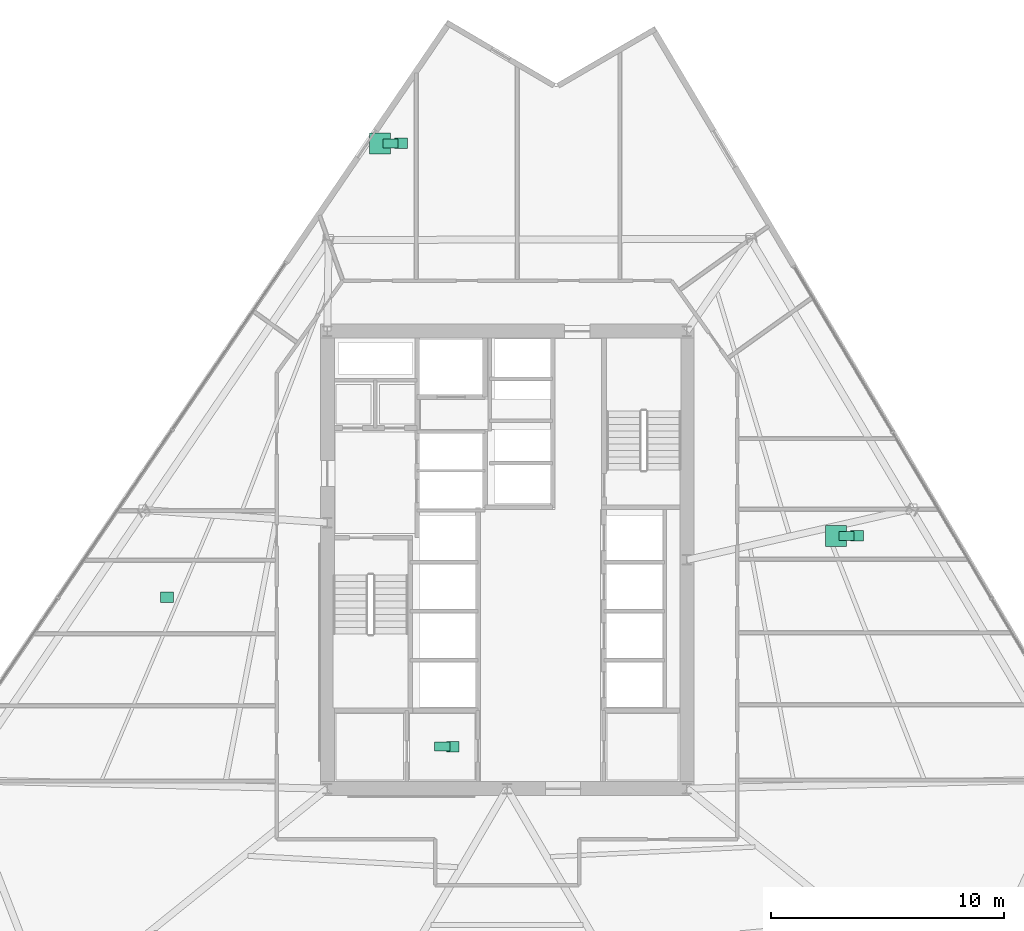
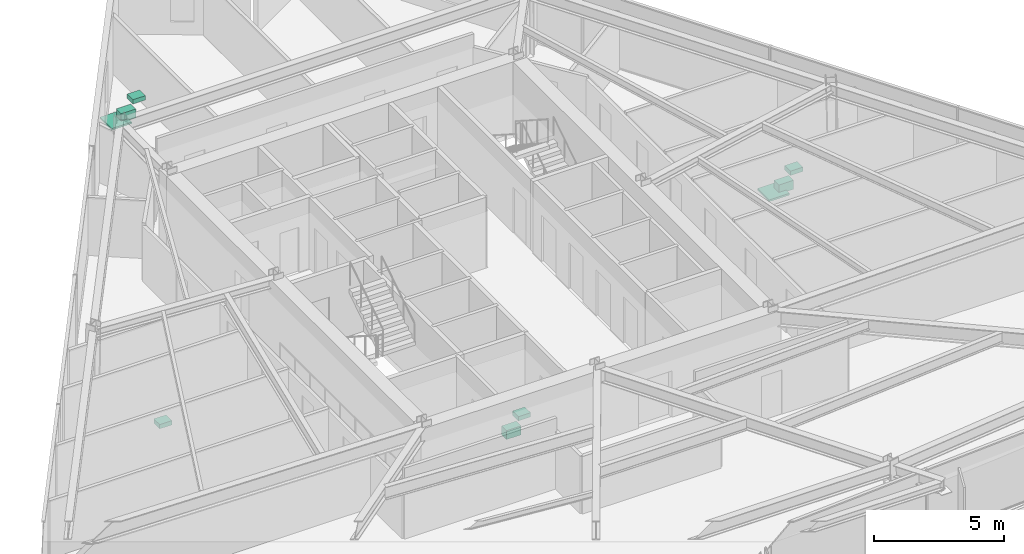
# One storey, part 17 of 17: 9 sanitary terminals.
"""IFC4 building model written with IfcOpenShell, lengths in metres."""

from ifc_helpers import new_model, si_unit, direction, frame, origin, origin_2d, place, context, subcontext, project, spatial, rectangle, extrude, material, type_object, element, save


model = new_model("IFC4")

# Units and contexts
model_context = context("Model", 3, precision=1e-05, world=origin(), true_north=direction((0.0, 1.0)))
body_context = subcontext(model_context, "Body", "Model", "MODEL_VIEW")
ifc_project = project(units=[si_unit("LENGTHUNIT", "METRE"), si_unit("AREAUNIT", "SQUARE_METRE"), si_unit("VOLUMEUNIT", "CUBIC_METRE"), si_unit("PLANEANGLEUNIT", "RADIAN"), si_unit("MASSUNIT", "GRAM", prefix="KILO")], contexts=[model_context])

# Site, building, storey
site_placement = place(None, origin())
site = spatial("IfcSite", under=ifc_project, at=site_placement, CompositionType="ELEMENT")
building_placement = place(site_placement, origin())
building = spatial("IfcBuilding", under=site, at=building_placement, Name="Savorim Split Tower", CompositionType="ELEMENT")
storey_placement = place(building_placement, frame((0.0, 0.0, 62.39990234375)))
storey = spatial("IfcBuildingStorey", under=building, at=storey_placement, Name="L16", CompositionType="ELEMENT", Elevation=62.39990234375)

# Sanitary terminals
ifc_material = material(Name="Vitreous China Sanitaryware")
sanitary_terminal_type_1 = type_object("IfcSanitaryTerminalType", Name="SAN-SHW-900", PredefinedType="SHOWER", material=ifc_material)
for number, where, z_axis, x_axis, name in (
    (1, (14.088134765625, 1.431640625, 0.0), (0.0, 0.0, 1.0), (1.0, 0.0, 0.0), "L16 Shared Bathroom Shower"),
    (2, (-5.4375, 18.2412109375, 0.0), (0.0, 0.0, 1.0), (1.0, 0.0, 0.0), "L16 Shared Bathroom Shower"),
):
    element("IfcSanitaryTerminal", number, at=place(storey_placement, frame(where, z_axis=z_axis, x_axis=x_axis)), inside=storey, type_object=sanitary_terminal_type_1, Name=name, PredefinedType="SHOWER", context=body_context, shape_type="SweptSolid", body=[
        extrude(rectangle(XDim=0.89990234375, YDim=0.89990234375, at=origin_2d()), origin(), (0.0, 0.0, 1.0), 0.080078125),
    ])
sanitary_terminal_type_2 = type_object("IfcSanitaryTerminalType", Name="SAN-WC-PAN", PredefinedType="TOILETPAN", material=ifc_material)
for number, where, z_axis, x_axis, name in (
    (3, (-2.77490234375, -7.60009765625, 0.000244140625), (0.0, 0.0, 1.0), (1.0, 0.0, 0.0), "L16 Accessible WC WC Pan"),
    (4, (14.5380859375, 1.431640625, 0.000244140625), (0.0, 0.0, 1.0), (1.0, 0.0, 0.0), "L16 Shared Bathroom WC Pan"),
    (5, (-4.987548828125, 18.2412109375, 0.000244140625), (0.0, 0.0, 1.0), (1.0, 0.0, 0.0), "L16 Shared Bathroom WC Pan"),
):
    element("IfcSanitaryTerminal", number, at=place(storey_placement, frame(where, z_axis=z_axis, x_axis=x_axis)), inside=storey, type_object=sanitary_terminal_type_2, Name=name, PredefinedType="TOILETPAN", context=body_context, shape_type="SweptSolid", body=[
        extrude(rectangle(XDim=0.64990234375, YDim=0.3798828125, at=origin_2d()), origin(), (0.0, 0.0, 1.0), 0.419921875),
    ])
sanitary_terminal_type_3 = type_object("IfcSanitaryTerminalType", Name="SAN-WHB-550", PredefinedType="WASHHANDBASIN", material=ifc_material)
for number, where, z_axis, x_axis, name in (
    (6, (-2.324951171875, -7.60009765625, 0.72021484375), (0.0, 0.0, 1.0), (1.0, 0.0, 0.0), "L16 Accessible WC Washhand Basin"),
    (7, (-14.568359375, -1.19287109375, 0.75), (0.0, 0.0, 1.0), (1.0, 0.0, 0.0), "L16 Shared Kitchen Utility Sink"),
    (8, (14.98828125, 1.431640625, 0.72021484375), (0.0, 0.0, 1.0), (1.0, 0.0, 0.0), "L16 Shared Bathroom Washhand Basin"),
    (9, (-4.53759765625, 18.2412109375, 0.72021484375), (0.0, 0.0, 1.0), (1.0, 0.0, 0.0), "L16 Shared Bathroom Washhand Basin"),
):
    element("IfcSanitaryTerminal", number, at=place(storey_placement, frame(where, z_axis=z_axis, x_axis=x_axis)), inside=storey, type_object=sanitary_terminal_type_3, Name=name, PredefinedType="WASHHANDBASIN", context=body_context, shape_type="SweptSolid", body=[
        extrude(rectangle(XDim=0.550048828125, YDim=0.449951171875, at=origin_2d()), origin(), (0.0, 0.0, 1.0), 0.199951171875),
    ])

save(model, "model.ifc")
